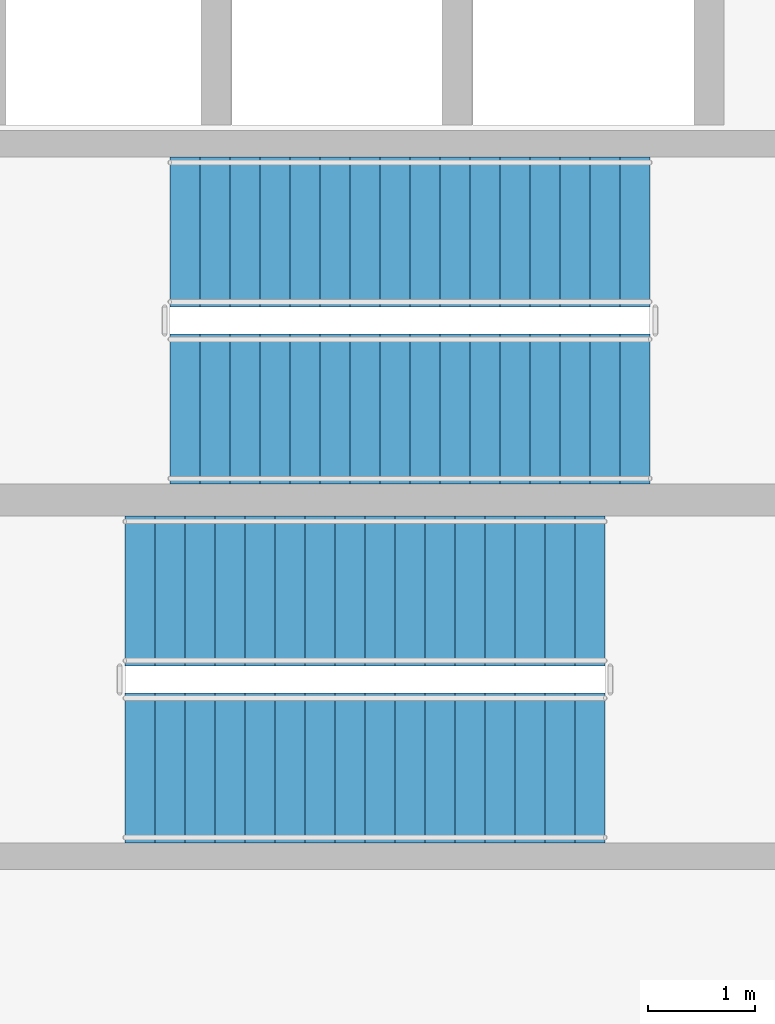
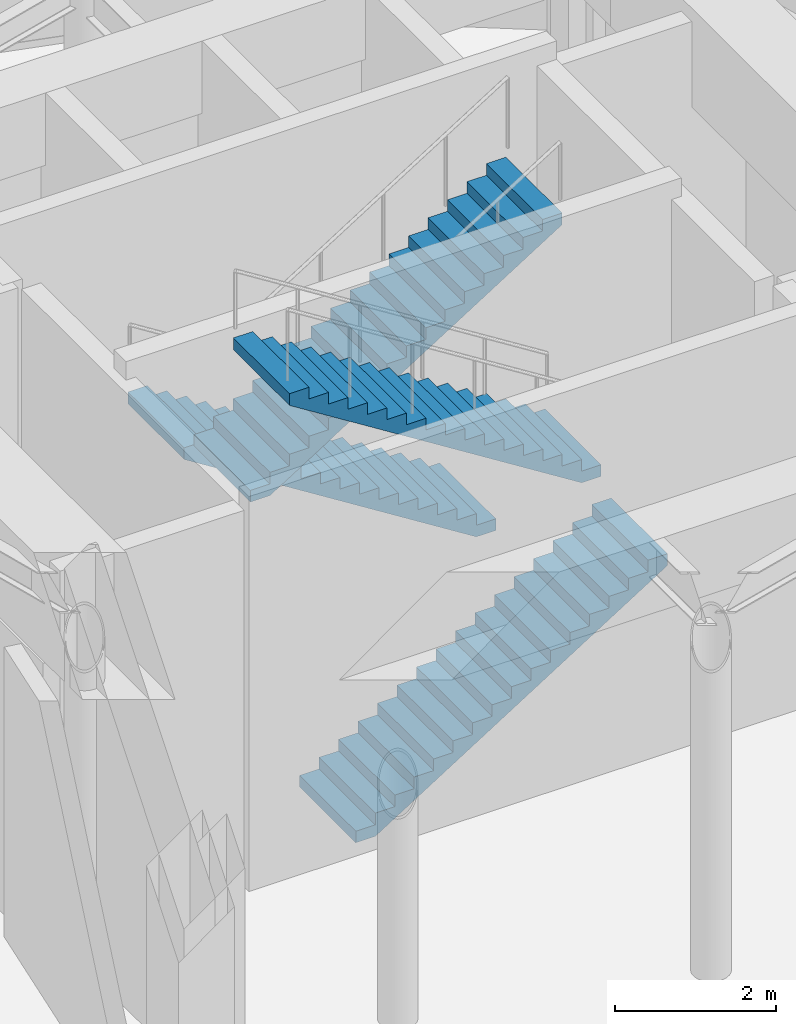
# One storey, part 11 of 12: 4 stair flights, 2 elements without a shape of their own.
"""IFC4 building model written with IfcOpenShell, lengths in metres."""

from ifc_helpers import new_model, si_unit, direction, frame, origin, place, context, subcontext, project, spatial, polyline, outline, extrude, material, type_object, element, aggregate, save


model = new_model("IFC4")

# Units and contexts
model_context = context("Model", 3, precision=1e-05, world=origin(), true_north=direction((0.0, 1.0)))
body_context = subcontext(model_context, "Body", "Model", "MODEL_VIEW")
ifc_project = project(units=[si_unit("LENGTHUNIT", "METRE"), si_unit("AREAUNIT", "SQUARE_METRE"), si_unit("VOLUMEUNIT", "CUBIC_METRE"), si_unit("PLANEANGLEUNIT", "RADIAN"), si_unit("MASSUNIT", "GRAM", prefix="KILO")], contexts=[model_context])

# Site, building, storey
site_placement = place(None, origin())
site = spatial("IfcSite", under=ifc_project, at=site_placement, CompositionType="ELEMENT")
building_placement = place(site_placement, origin())
building = spatial("IfcBuilding", under=site, at=building_placement, Name="Solvirekh Grand Hotel", CompositionType="ELEMENT")
storey_placement = place(building_placement, frame((0.0, 0.0, 302.199951171875)))
storey = spatial("IfcBuildingStorey", under=building, at=storey_placement, Name="L78", CompositionType="ELEMENT", Elevation=302.199951171875)

# Stair, stair flights
ifc_material = material(Name="Concrete C40/50", Category="concrete")
stair_type = type_object("IfcStairType", Name="Stair_Core_1450", PredefinedType="HALF_TURN_STAIR", material=ifc_material)
stair_1_placement = place(storey_placement, origin())
stair_1 = element("IfcStair", 1, at=stair_1_placement, inside=storey, type_object=stair_type, Name="L78 Enclosed exit stair ST-1", PredefinedType="HALF_TURN_STAIR")
stair_flight_type = type_object("IfcStairFlightType", Name="Flight_Core_1450", PredefinedType="STRAIGHT", material=ifc_material)
stair_flight_1_placement = place(storey_placement, frame((-2.449951171875, -2.5, 0.0), z_axis=(0.0, 0.0, 1.0), x_axis=(1.0, 0.0, 0.0)))
stair_flight_1 = element("IfcStairFlight", 2, at=stair_flight_1_placement, type_object=stair_flight_type, Name="ST-1 flight 1", NumberOfRisers=17, NumberOfTreads=16, PredefinedType="STRAIGHT", RiserHeight=0.176470588, TreadLength=0.28, context=body_context, shape_type="SweptSolid", body=[
    extrude(outline(polyline([(0.0, 0.0), (0.0, 0.176513671875), (0.280029296875, 0.176513671875), (0.280029296875, 0.35302734375), (0.56005859375, 0.35302734375), (0.56005859375, 0.529296875), (0.840087890625, 0.529296875), (0.840087890625, 0.705810546875), (1.1201171875, 0.705810546875), (1.1201171875, 0.88232421875), (1.39990234375, 0.88232421875), (1.39990234375, 1.058837890625), (1.679931640625, 1.058837890625), (1.679931640625, 1.2353515625), (1.9599609375, 1.2353515625), (1.9599609375, 1.411865234375), (2.239990234375, 1.411865234375), (2.239990234375, 1.588134765625), (2.52001953125, 1.588134765625), (2.52001953125, 1.7646484375), (2.800048828125, 1.7646484375), (2.800048828125, 1.941162109375), (3.080078125, 1.941162109375), (3.080078125, 2.11767578125), (3.360107421875, 2.11767578125), (3.360107421875, 2.294189453125), (3.639892578125, 2.294189453125), (3.639892578125, 2.470703125), (3.919921875, 2.470703125), (3.919921875, 2.64697265625), (4.199951171875, 2.64697265625), (4.199951171875, 2.823486328125), (4.47998046875, 2.823486328125), (4.47998046875, 3.0), (4.47998046875, 2.646240234375), (0.28125, 0.0), (0.0, 0.0)])), frame((0.0, 0.699951171875, 0.0), z_axis=(0.0, -1.0, 0.0), x_axis=(1.0, 0.0, 0.0)), (0.0, 0.0, 1.0), 1.39990234375),
])
stair_flight_2_placement = place(storey_placement, frame((2.030029296875, -0.85009765625, 3.0), z_axis=(0.0, 0.0, 1.0), x_axis=(-1.0, 0.0, 0.0)))
stair_flight_2 = element("IfcStairFlight", 3, at=stair_flight_2_placement, type_object=stair_flight_type, Name="ST-1 flight 2", NumberOfRisers=17, NumberOfTreads=16, PredefinedType="STRAIGHT", RiserHeight=0.176470588, TreadLength=0.28, context=body_context, shape_type="SweptSolid", body=[
    extrude(outline(polyline([(0.0, 0.0), (0.0, 0.176513671875), (0.280029296875, 0.176513671875), (0.280029296875, 0.35302734375), (0.56005859375, 0.35302734375), (0.56005859375, 0.529296875), (0.840087890625, 0.529296875), (0.840087890625, 0.705810546875), (1.1201171875, 0.705810546875), (1.1201171875, 0.88232421875), (1.39990234375, 0.88232421875), (1.39990234375, 1.058837890625), (1.679931640625, 1.058837890625), (1.679931640625, 1.2353515625), (1.9599609375, 1.2353515625), (1.9599609375, 1.411865234375), (2.239990234375, 1.411865234375), (2.239990234375, 1.588134765625), (2.52001953125, 1.588134765625), (2.52001953125, 1.7646484375), (2.800048828125, 1.7646484375), (2.800048828125, 1.941162109375), (3.080078125, 1.941162109375), (3.080078125, 2.11767578125), (3.360107421875, 2.11767578125), (3.360107421875, 2.294189453125), (3.639892578125, 2.294189453125), (3.639892578125, 2.470703125), (3.919921875, 2.470703125), (3.919921875, 2.64697265625), (4.199951171875, 2.64697265625), (4.199951171875, 2.823486328125), (4.47998046875, 2.823486328125), (4.47998046875, 3.0), (4.47998046875, 2.646240234375), (0.28125, 0.0), (0.0, 0.0)])), frame((0.0, 0.699951171875, 0.0), z_axis=(0.0, -1.0, 0.0), x_axis=(1.0, 0.0, 0.0)), (0.0, 0.0, 1.0), 1.39990234375),
])
aggregate(stair_1, [stair_flight_1, stair_flight_2])

stair_2_placement = place(storey_placement, origin())
stair_2 = element("IfcStair", 4, at=stair_2_placement, inside=storey, type_object=stair_type, Name="L78 Enclosed exit stair ST-2", PredefinedType="HALF_TURN_STAIR")
stair_flight_3_placement = place(storey_placement, frame((2.449951171875, 2.5, 0.0), z_axis=(0.0, 0.0, 1.0), x_axis=(-1.0, 0.0, 0.0)))
stair_flight_3 = element("IfcStairFlight", 5, at=stair_flight_3_placement, type_object=stair_flight_type, Name="ST-2 flight 1", NumberOfRisers=17, NumberOfTreads=16, PredefinedType="STRAIGHT", RiserHeight=0.176470588, TreadLength=0.28, context=body_context, shape_type="SweptSolid", body=[
    extrude(outline(polyline([(0.0, 0.0), (0.0, 0.176513671875), (0.280029296875, 0.176513671875), (0.280029296875, 0.35302734375), (0.56005859375, 0.35302734375), (0.56005859375, 0.529296875), (0.840087890625, 0.529296875), (0.840087890625, 0.705810546875), (1.1201171875, 0.705810546875), (1.1201171875, 0.88232421875), (1.39990234375, 0.88232421875), (1.39990234375, 1.058837890625), (1.679931640625, 1.058837890625), (1.679931640625, 1.2353515625), (1.9599609375, 1.2353515625), (1.9599609375, 1.411865234375), (2.239990234375, 1.411865234375), (2.239990234375, 1.588134765625), (2.52001953125, 1.588134765625), (2.52001953125, 1.7646484375), (2.800048828125, 1.7646484375), (2.800048828125, 1.941162109375), (3.080078125, 1.941162109375), (3.080078125, 2.11767578125), (3.360107421875, 2.11767578125), (3.360107421875, 2.294189453125), (3.639892578125, 2.294189453125), (3.639892578125, 2.470703125), (3.919921875, 2.470703125), (3.919921875, 2.64697265625), (4.199951171875, 2.64697265625), (4.199951171875, 2.823486328125), (4.47998046875, 2.823486328125), (4.47998046875, 3.0), (4.47998046875, 2.646240234375), (0.28125, 0.0), (0.0, 0.0)])), frame((0.0, 0.699951171875, 0.0), z_axis=(0.0, -1.0, 0.0), x_axis=(1.0, 0.0, 0.0)), (0.0, 0.0, 1.0), 1.39990234375),
])
stair_flight_4_placement = place(storey_placement, frame((-2.030029296875, 0.85009765625, 3.0), z_axis=(0.0, 0.0, 1.0), x_axis=(1.0, 0.0, 0.0)))
stair_flight_4 = element("IfcStairFlight", 6, at=stair_flight_4_placement, type_object=stair_flight_type, Name="ST-2 flight 2", NumberOfRisers=17, NumberOfTreads=16, PredefinedType="STRAIGHT", RiserHeight=0.176470588, TreadLength=0.28, context=body_context, shape_type="SweptSolid", body=[
    extrude(outline(polyline([(0.0, 0.0), (0.0, 0.176513671875), (0.280029296875, 0.176513671875), (0.280029296875, 0.35302734375), (0.56005859375, 0.35302734375), (0.56005859375, 0.529296875), (0.840087890625, 0.529296875), (0.840087890625, 0.705810546875), (1.1201171875, 0.705810546875), (1.1201171875, 0.88232421875), (1.39990234375, 0.88232421875), (1.39990234375, 1.058837890625), (1.679931640625, 1.058837890625), (1.679931640625, 1.2353515625), (1.9599609375, 1.2353515625), (1.9599609375, 1.411865234375), (2.239990234375, 1.411865234375), (2.239990234375, 1.588134765625), (2.52001953125, 1.588134765625), (2.52001953125, 1.7646484375), (2.800048828125, 1.7646484375), (2.800048828125, 1.941162109375), (3.080078125, 1.941162109375), (3.080078125, 2.11767578125), (3.360107421875, 2.11767578125), (3.360107421875, 2.294189453125), (3.639892578125, 2.294189453125), (3.639892578125, 2.470703125), (3.919921875, 2.470703125), (3.919921875, 2.64697265625), (4.199951171875, 2.64697265625), (4.199951171875, 2.823486328125), (4.47998046875, 2.823486328125), (4.47998046875, 3.0), (4.47998046875, 2.646240234375), (0.28125, 0.0), (0.0, 0.0)])), frame((0.0, 0.699951171875, 0.0), z_axis=(0.0, -1.0, 0.0), x_axis=(1.0, 0.0, 0.0)), (0.0, 0.0, 1.0), 1.39990234375),
])
aggregate(stair_2, [stair_flight_3, stair_flight_4])

save(model, "model.ifc")
